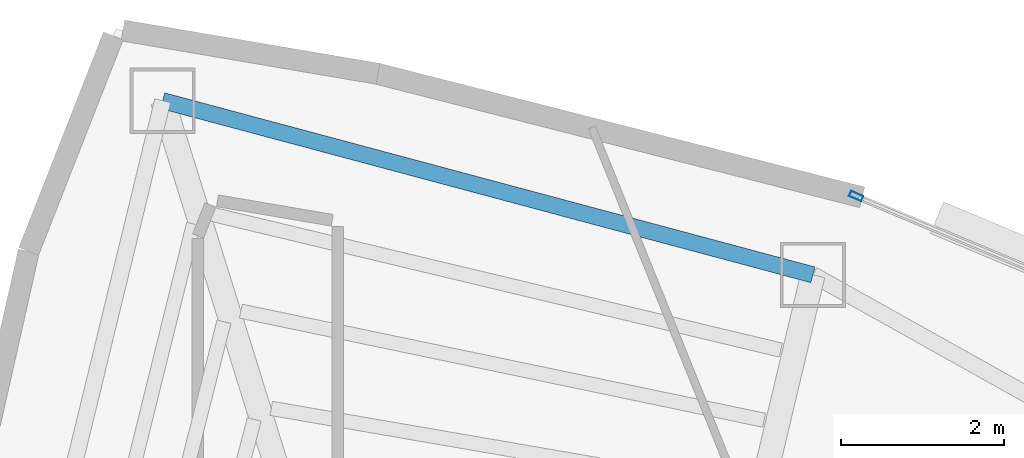
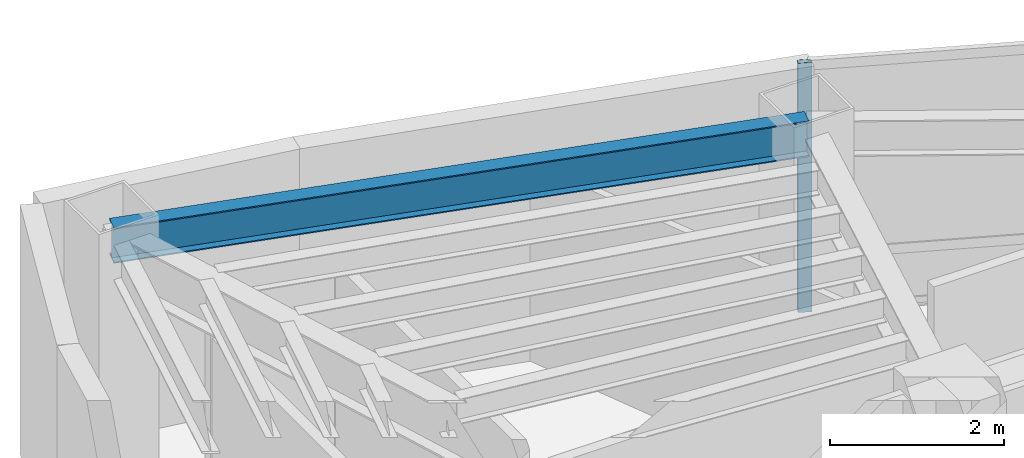
# One storey, part 9 of 15: 1 beam, 1 member, 1 element without a shape of its own.
"""IFC4 building model written with IfcOpenShell, lengths in metres."""

from ifc_helpers import new_model, si_unit, direction, frame, origin, origin_2d, place, context, subcontext, project, spatial, hollow_rectangle, i_section, extrude, material, layer, layer_set, material_profile, profile_set, type_object, element, aggregate, save


model = new_model("IFC4")

# Units and contexts
model_context = context("Model", 3, precision=1e-05, world=origin(), true_north=direction((0.0, 1.0)))
body_context = subcontext(model_context, "Body", "Model", "MODEL_VIEW")
ifc_project = project(units=[si_unit("LENGTHUNIT", "METRE"), si_unit("AREAUNIT", "SQUARE_METRE"), si_unit("VOLUMEUNIT", "CUBIC_METRE"), si_unit("PLANEANGLEUNIT", "RADIAN"), si_unit("MASSUNIT", "GRAM", prefix="KILO")], contexts=[model_context])

# Site, building, storey
site_placement = place(None, origin())
site = spatial("IfcSite", under=ifc_project, at=site_placement, CompositionType="ELEMENT")
building_placement = place(site_placement, origin())
building = spatial("IfcBuilding", under=site, at=building_placement, Name="Menara Vayukalpa", CompositionType="ELEMENT")
storey_placement = place(building_placement, frame((0.0, 0.0, 265.739990234375)))
storey = spatial("IfcBuildingStorey", under=building, at=storey_placement, Name="L67", CompositionType="ELEMENT", Elevation=265.739990234375)

# Beam
ifc_material_1 = material(Name="Steel S355", Category="steel")
ifc_material_profile_1 = material_profile(ifc_material_1, i_section(OverallWidth=0.199951171875, OverallDepth=0.5, WebThickness=0.010009765625, FlangeThickness=0.01611328125, at=origin_2d()), Name="WF 500x200x10x16")
ifc_profile_set_1 = profile_set([ifc_material_profile_1], Name="Steel S355")
beam_type = type_object("IfcBeamType", Name="BM-SP3", PredefinedType="SPANDREL", material=ifc_profile_set_1)
beam_placement = place(storey_placement, frame((23.3818359375, 32.40478515625, 3.25), z_axis=(-0.965978332552, 0.258623009494, 0.0), x_axis=(-0.258623009494, -0.965978332552, 0.0)))
element("IfcBeam", 1, at=beam_placement, inside=storey, type_object=beam_type, Name="L67 Perimeter Spandrel Beam SP03", PredefinedType="SPANDREL", context=body_context, shape_type="SweptSolid", body=[
    extrude(i_section(OverallWidth=0.199951171875, OverallDepth=0.5, WebThickness=0.010009765625, FlangeThickness=0.01611328125, at=origin_2d()), origin(), (0.0, 0.0, 1.0), 8.274169921875),
])

# Curtain wall, member
ifc_material_2 = material(Name="Anodised Terracotta Aluminium Alloy 6063-T6", Category="masonry")
ifc_layer = layer(ifc_material_2, 0.1650390625)
ifc_layer_set = layer_set([ifc_layer], Name="Anodised Terracotta Aluminium Alloy 6063-T6")
curtain_wall_type = type_object("IfcCurtainWallType", Name="CW-CW6", PredefinedType="USERDEFINED", material=ifc_layer_set)
curtain_wall_placement = place(storey_placement, origin())
curtain_wall = element("IfcCurtainWall", 2, at=curtain_wall_placement, inside=storey, type_object=curtain_wall_type, Name="L67 Observation and Executive Curtain Wall CW6 05", ObjectType="UNITISED", PredefinedType="USERDEFINED")
ifc_material_3 = material(Name="Anodised Terracotta Aluminium Alloy 6063-T6", Category="masonry")
ifc_material_profile_2 = material_profile(ifc_material_3, hollow_rectangle(XDim=0.070068359375, YDim=0.1650390625, WallThickness=0.00390625, at=origin_2d()), Name="ALU 70x165x4")
ifc_profile_set_2 = profile_set([ifc_material_profile_2], Name="Anodised Terracotta Aluminium Alloy 6063-T6")
member_type = type_object("IfcMemberType", Name="CWM-CW6", PredefinedType="MULLION", material=ifc_profile_set_2)
member_placement = place(storey_placement, frame((23.913330078125, 33.37158203125, 0.0), z_axis=(0.0, 0.0, 1.0), x_axis=(-0.385899911703, -0.922540653927, 0.0)))
member = element("IfcMember", 3, at=member_placement, type_object=member_type, Name="CW6 mullion 3", PredefinedType="MULLION", context=body_context, shape_type="SweptSolid", body=[
    extrude(hollow_rectangle(XDim=0.070068359375, YDim=0.1650390625, WallThickness=0.00390625, at=origin_2d()), origin(), (0.0, 0.0, 1.0), 3.5),
])
aggregate(curtain_wall, [member])

save(model, "model.ifc")
